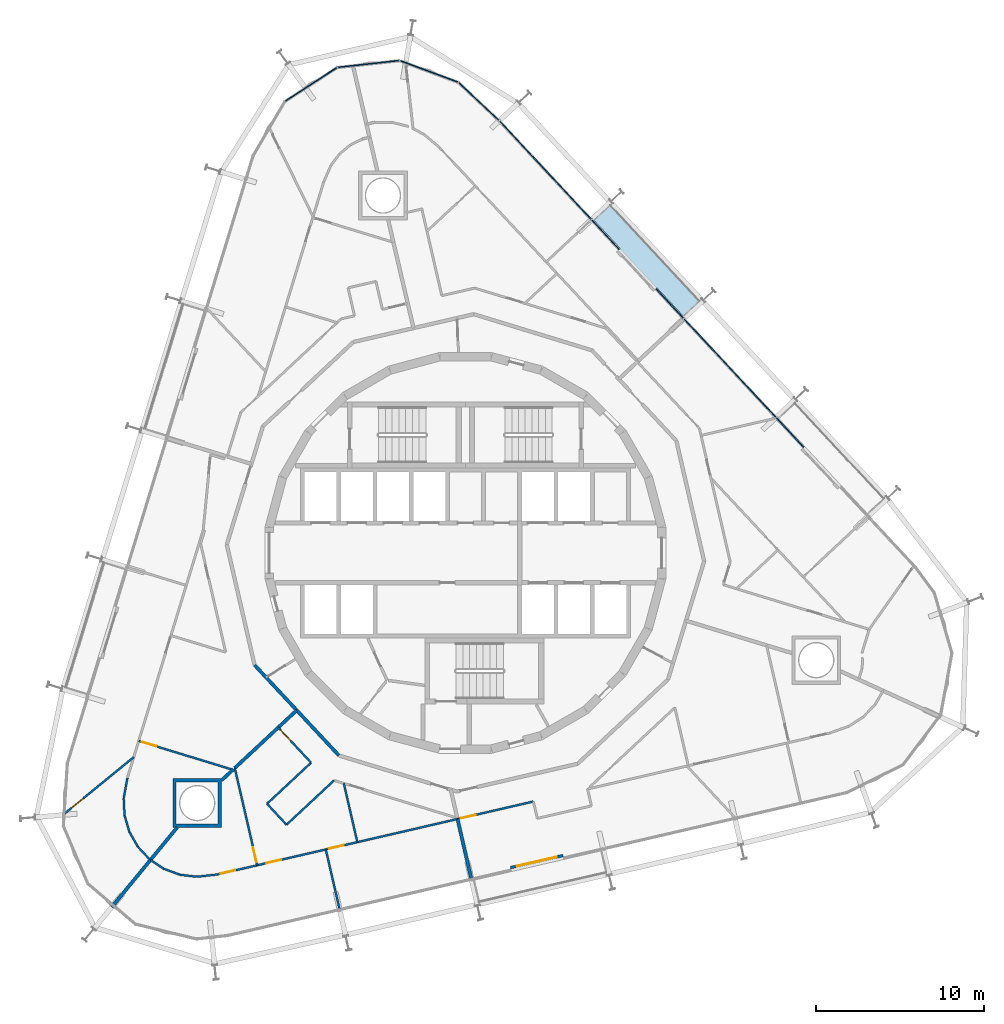
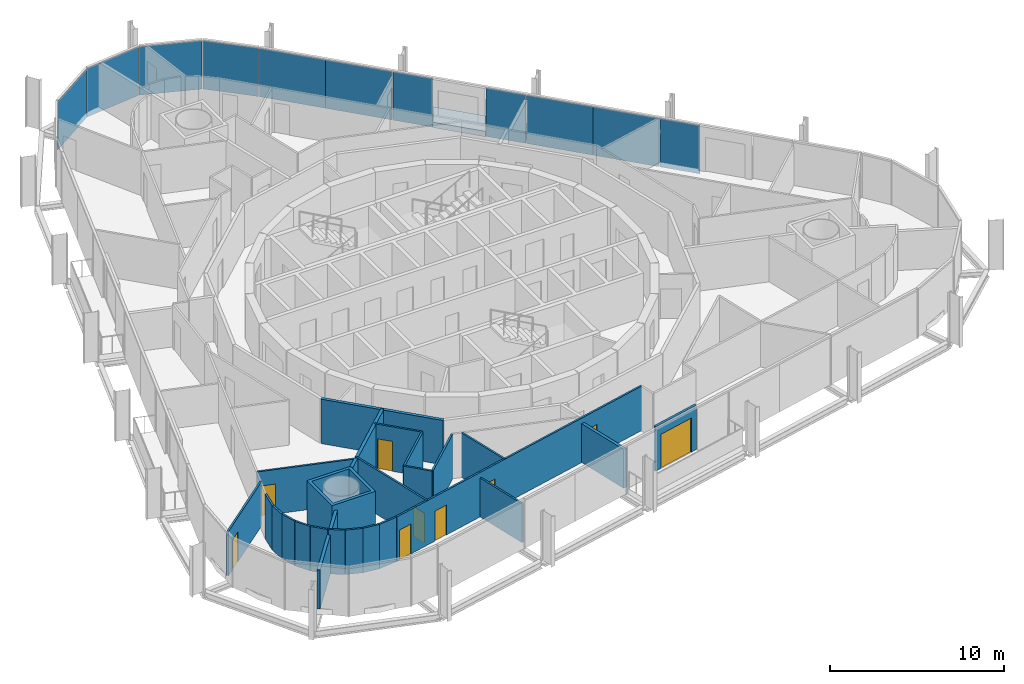
# One storey, part 11 of 18: 26 walls, 11 plates, 9 doors, 1 slab, 9 openings, 2 elements without a shape of their own.
"""IFC4 building model written with IfcOpenShell, lengths in metres."""

from ifc_helpers import new_model, si_unit, direction, frame, frame_2d, origin, origin_2d, place, context, subcontext, project, spatial, polyline, rectangle, outline, extrude, material, layer, layer_set, type_object, element, fill, aggregate, save


model = new_model("IFC4")

# Units and contexts
model_context = context("Model", 3, precision=1e-05, world=origin(), true_north=direction((0.0, 1.0)))
body_context = subcontext(model_context, "Body", "Model", "MODEL_VIEW")
ifc_project = project(units=[si_unit("LENGTHUNIT", "METRE"), si_unit("AREAUNIT", "SQUARE_METRE"), si_unit("VOLUMEUNIT", "CUBIC_METRE"), si_unit("PLANEANGLEUNIT", "RADIAN"), si_unit("MASSUNIT", "GRAM", prefix="KILO")], contexts=[model_context])

# Site, building, storey
site_placement = place(None, origin())
site = spatial("IfcSite", under=ifc_project, at=site_placement, CompositionType="ELEMENT")
building_placement = place(site_placement, origin())
building = spatial("IfcBuilding", under=site, at=building_placement, Name="Spindle Arch Residences", CompositionType="ELEMENT")
storey_placement = place(building_placement, frame((0.0, 0.0, 137.89990234375)))
storey = spatial("IfcBuildingStorey", under=building, at=storey_placement, Name="L34", CompositionType="ELEMENT", Elevation=137.89990234375)

# Slab
ifc_material_1 = material(Name="Concrete C40/50", Category="concrete")
ifc_layer_1 = layer(ifc_material_1, 0.3798828125)
ifc_layer_set_1 = layer_set([ifc_layer_1], Name="Balcony slab 380")
slab_type = type_object("IfcSlabType", Name="Balcony slab 380", PredefinedType="FLOOR", material=ifc_layer_set_1)
slab_placement = place(storey_placement, frame((0.0, 0.0, -0.3798828125)))
element("IfcSlab", 1, at=slab_placement, inside=storey, type_object=slab_type, Name="Balcony L34 bay 8", PredefinedType="FLOOR", context=body_context, shape_type="SweptSolid", body=[
    extrude(outline(polyline([(14.058837890625, 15.04248046875), (14.0078125, 15.09716796875), (13.89794921875, 14.994873046875), (8.626708984375, 20.647705078125), (8.736328125, 20.75), (8.685302734375, 20.804931640625), (7.595458984375, 19.78857421875), (9.191162109375, 18.07763671875), (9.07421875, 17.968505859375), (11.256591796875, 15.628173828125), (11.37353515625, 15.7373046875), (12.96923828125, 14.026123046875), (14.058837890625, 15.04248046875)])), origin(), (0.0, 0.0, 1.0), 0.3798828125),
])

# Curtain wall, plates
ifc_material_2 = material(Name="Aluminium bronze unitised frame with tinted glass", Category="aluminium")
ifc_layer_2 = layer(ifc_material_2, 0.159912109375)
ifc_layer_set_2 = layer_set([ifc_layer_2], Name="CW-C typical residential unitised wall")
curtain_wall_type_1 = type_object("IfcCurtainWallType", Name="CW-C typical residential unitised wall", PredefinedType="NOTDEFINED", material=ifc_layer_set_2)
curtain_wall_1_placement = place(storey_placement, origin())
curtain_wall_1 = element("IfcCurtainWall", 2, at=curtain_wall_1_placement, inside=storey, type_object=curtain_wall_type_1, Name="CW-C L34 run 2", PredefinedType="NOTDEFINED")
ifc_material_3 = material(Name="Tinted double glazing over aluminium faced non-combustible spandrel zone (K0)", Category="aluminium")
ifc_layer_3 = layer(ifc_material_3, 0.06005859375)
ifc_layer_set_3 = layer_set([ifc_layer_3], Name="Unitised glass panel with E 60 spandrel zone")
plate_type = type_object("IfcPlateType", Name="Unitised glass panel with E 60 spandrel zone", PredefinedType="CURTAIN_PANEL", material=ifc_layer_set_3)
plate_1_placement = place(storey_placement, frame((19.271240234375, 7.150634765625, -0.3798828125), z_axis=(0.0, 0.0, 1.0), x_axis=(-0.681998360062, 0.731353701619, 0.0)))
plate_1 = element("IfcPlate", 3, at=plate_1_placement, type_object=plate_type, Name="CW-C unit 05R", PredefinedType="CURTAIN_PANEL", context=body_context, shape_type="SweptSolid", body=[
    extrude(rectangle(XDim=2.384521484375, YDim=0.06005859375, at=origin_2d()), origin(), (0.0, 0.0, 1.0), 3.3798828125),
])
plate_2_placement = place(storey_placement, frame((17.05859375, 9.523681640625, -0.3798828125), z_axis=(0.0, 0.0, 1.0), x_axis=(-0.681998360062, 0.731353701619, 0.0)))
plate_2 = element("IfcPlate", 4, at=plate_2_placement, type_object=plate_type, Name="CW-C unit 06A", PredefinedType="CURTAIN_PANEL", context=body_context, shape_type="SweptSolid", body=[
    extrude(rectangle(XDim=3.984619140625, YDim=0.06005859375, at=origin_2d()), origin(), (0.0, 0.0, 1.0), 3.3798828125),
])
plate_3_placement = place(storey_placement, frame((14.341064453125, 12.437744140625, -0.3798828125), z_axis=(0.0, 0.0, 1.0), x_axis=(-0.681998360062, 0.731353701619, 0.0)))
plate_3 = element("IfcPlate", 5, at=plate_3_placement, type_object=plate_type, Name="CW-C unit 06B", PredefinedType="CURTAIN_PANEL", context=body_context, shape_type="SweptSolid", body=[
    extrude(rectangle(XDim=3.984619140625, YDim=0.06005859375, at=origin_2d()), origin(), (0.0, 0.0, 1.0), 3.3798828125),
])
plate_4_placement = place(storey_placement, frame((12.128173828125, 14.810791015625, -0.3798828125), z_axis=(0.0, 0.0, 1.0), x_axis=(-0.681998360062, 0.731353701619, 0.0)))
plate_4 = element("IfcPlate", 6, at=plate_4_placement, type_object=plate_type, Name="CW-C unit 07L", PredefinedType="CURTAIN_PANEL", context=body_context, shape_type="SweptSolid", body=[
    extrude(rectangle(XDim=2.384521484375, YDim=0.06005859375, at=origin_2d()), origin(), (0.0, 0.0, 1.0), 3.3798828125),
])
plate_5_placement = place(storey_placement, frame((8.319580078125, 18.89501953125, -0.3798828125), z_axis=(0.0, 0.0, 1.0), x_axis=(-0.681998360062, 0.731353701619, 0.0)))
plate_5 = element("IfcPlate", 7, at=plate_5_placement, type_object=plate_type, Name="CW-C unit 07R", PredefinedType="CURTAIN_PANEL", context=body_context, shape_type="SweptSolid", body=[
    extrude(rectangle(XDim=2.384521484375, YDim=0.06005859375, at=origin_2d()), origin(), (0.0, 0.0, 1.0), 3.3798828125),
])
plate_6_placement = place(storey_placement, frame((6.106689453125, 21.26806640625, -0.3798828125), z_axis=(0.0, 0.0, 1.0), x_axis=(-0.681998360062, 0.731353701619, 0.0)))
plate_6 = element("IfcPlate", 8, at=plate_6_placement, type_object=plate_type, Name="CW-C unit 08A", PredefinedType="CURTAIN_PANEL", context=body_context, shape_type="SweptSolid", body=[
    extrude(rectangle(XDim=3.984619140625, YDim=0.06005859375, at=origin_2d()), origin(), (0.0, 0.0, 1.0), 3.3798828125),
])
plate_7_placement = place(storey_placement, frame((3.38916015625, 24.18212890625, -0.3798828125), z_axis=(0.0, 0.0, 1.0), x_axis=(-0.681998360062, 0.731353701619, 0.0)))
plate_7 = element("IfcPlate", 9, at=plate_7_placement, type_object=plate_type, Name="CW-C unit 08B", PredefinedType="CURTAIN_PANEL", context=body_context, shape_type="SweptSolid", body=[
    extrude(rectangle(XDim=3.984619140625, YDim=0.06005859375, at=origin_2d()), origin(), (0.0, 0.0, 1.0), 3.3798828125),
])
aggregate(curtain_wall_1, [plate_1, plate_2, plate_3, plate_4, plate_5, plate_6, plate_7])

ifc_material_4 = material(Name="Aluminium bronze unitised frame with tinted glass", Category="aluminium")
ifc_layer_4 = layer(ifc_material_4, 0.159912109375)
ifc_layer_set_4 = layer_set([ifc_layer_4], Name="CW-D corner wall on the fillet arcs")
curtain_wall_type_2 = type_object("IfcCurtainWallType", Name="CW-D corner wall on the fillet arcs", PredefinedType="NOTDEFINED", material=ifc_layer_set_4)
curtain_wall_2_placement = place(storey_placement, origin())
curtain_wall_2 = element("IfcCurtainWall", 10, at=curtain_wall_2_placement, inside=storey, type_object=curtain_wall_type_2, Name="CW-D L34 run 3", PredefinedType="NOTDEFINED")
plate_8_placement = place(storey_placement, frame((0.794677734375, 26.8046875, -0.3798828125), z_axis=(0.0, 0.0, 1.0), x_axis=(-0.728270412102, 0.685289870681, 0.0)))
plate_8 = element("IfcPlate", 11, at=plate_8_placement, type_object=plate_type, Name="CW-D unit 00", PredefinedType="CURTAIN_PANEL", context=body_context, shape_type="SweptSolid", body=[
    extrude(rectangle(XDim=3.277587890625, YDim=0.06005859375, at=origin_2d()), origin(), (0.0, 0.0, 1.0), 3.3798828125),
])
plate_9_placement = place(storey_placement, frame((-2.16796875, 28.595703125, -0.3798828125), z_axis=(0.0, 0.0, 1.0), x_axis=(-0.937686936403, 0.347481235896, 0.0)))
plate_9 = element("IfcPlate", 12, at=plate_9_placement, type_object=plate_type, Name="CW-D unit 01", PredefinedType="CURTAIN_PANEL", context=body_context, shape_type="SweptSolid", body=[
    extrude(rectangle(XDim=3.666748046875, YDim=0.06005859375, at=origin_2d()), origin(), (0.0, 0.0, 1.0), 3.3798828125),
])
plate_10_placement = place(storey_placement, frame((-5.76708984375, 29.037841796875, -0.3798828125), z_axis=(0.0, 0.0, 1.0), x_axis=(-0.993896946294, -0.110312556619, 0.0)))
plate_10 = element("IfcPlate", 13, at=plate_10_placement, type_object=plate_type, Name="CW-D unit 02", PredefinedType="CURTAIN_PANEL", context=body_context, shape_type="SweptSolid", body=[
    extrude(rectangle(XDim=3.666748046875, YDim=0.06005859375, at=origin_2d()), origin(), (0.0, 0.0, 1.0), 3.3798828125),
])
plate_11_placement = place(storey_placement, frame((-9.181884765625, 27.8173828125, -0.3798828125), z_axis=(0.0, 0.0, 1.0), x_axis=(-0.838670567755, -0.544639035308, 0.0)))
plate_11 = element("IfcPlate", 14, at=plate_11_placement, type_object=plate_type, Name="CW-D unit 03", PredefinedType="CURTAIN_PANEL", context=body_context, shape_type="SweptSolid", body=[
    extrude(rectangle(XDim=3.666748046875, YDim=0.06005859375, at=origin_2d()), origin(), (0.0, 0.0, 1.0), 3.3798828125),
])
aggregate(curtain_wall_2, [plate_8, plate_9, plate_10, plate_11])

# Wall
ifc_material_5 = material(Name="Calcium silicate block, plastered")
ifc_layer_5 = layer(ifc_material_5, 0.199951171875)
ifc_layer_set_5 = layer_set([ifc_layer_5], Name="Corridor wall 200")
wall_type_1 = type_object("IfcWallType", Name="Corridor wall 200", PredefinedType="STANDARD", material=ifc_layer_set_5)
wall_1_placement = place(storey_placement, frame((-12.523193359375, -6.65869140625, 0.0), z_axis=(0.0, 0.0, 1.0), x_axis=(0.682001841105, -0.731350455479, 0.0)))
element("IfcWall", 15, at=wall_1_placement, inside=storey, type_object=wall_type_1, Name="Corridor wall R3C1-W012", PredefinedType="STANDARD", context=body_context, shape_type="SweptSolid", body=[
    extrude(rectangle(XDim=7.341796875, YDim=0.199951171875, at=frame_2d((3.6708984375, 0.0))), origin(), (0.0, 0.0, 1.0), 3.1201171875),
])

# Wall, opening, door
ifc_material_6 = material(Name="Plasterboard on steel studs", Category="steel")
ifc_layer_6 = layer(ifc_material_6, 0.1201171875)
ifc_layer_set_6 = layer_set([ifc_layer_6], Name="Flat partition 120")
wall_type_2 = type_object("IfcWallType", Name="Flat partition 120", PredefinedType="PARTITIONING", material=ifc_layer_set_6)
wall_2_placement = place(storey_placement, frame((-19.403564453125, -11.1669921875, 0.0), z_axis=(0.0, 0.0, 1.0), x_axis=(0.956314306829, -0.292340463423, 0.0)))
wall_2 = element("IfcWall", 16, at=wall_2_placement, inside=storey, type_object=wall_type_2, Name="Flat partition R3C1-W080", PredefinedType="PARTITIONING", context=body_context, shape_type="SweptSolid", body=[
    extrude(rectangle(XDim=5.85009765625, YDim=0.1201171875, at=frame_2d((2.925048828125, 0.0))), origin(), (0.0, 0.0, 1.0), 3.1201171875),
])
opening_1_placement = place(wall_2_placement, frame((0.199951171875, 0.0, 0.0)))
opening_1 = element("IfcOpeningElement", 17, at=opening_1_placement, cuts=wall_2, Name="Opening R3C1-ID20", PredefinedType="OPENING", context=body_context, shape_type="SweptSolid", body=[
    extrude(rectangle(XDim=0.89990234375, YDim=2.10009765625, at=frame_2d((0.449951171875, 1.050048828125))), frame((0.0, 0.070068359375, 0.0), z_axis=(0.0, -1.0, 0.0), x_axis=(1.0, 0.0, 0.0)), (0.0, 0.0, 1.0), 0.14013671875),
])
ifc_material_7 = material(Name="Timber door set", Category="wood")
door_type_1 = type_object("IfcDoorType", Name="Room door 900x2100", OperationType="NOTDEFINED", PredefinedType="DOOR", material=ifc_material_7)
door_1_placement = place(opening_1_placement, origin())
door_1 = element("IfcDoor", 18, at=door_1_placement, inside=storey, type_object=door_type_1, Name="Room door R3C1-ID20", OperationType="SINGLE_SWING_RIGHT", OverallHeight=2.10009765625, OverallWidth=0.89990234375, PredefinedType="DOOR", context=body_context, shape_type="SweptSolid", body=[
    extrude(rectangle(XDim=0.89990234375, YDim=2.10009765625, at=frame_2d((0.449951171875, 1.050048828125))), frame((0.0, 0.02490234375, 0.0), z_axis=(0.0, -1.0, 0.0), x_axis=(1.0, 0.0, 0.0)), (0.0, 0.0, 1.0), 0.050048828125),
])
fill(opening_1, door_1)

wall_3_placement = place(storey_placement, frame((-23.852294921875, -15.52001953125, 0.0), z_axis=(0.0, 0.0, 1.0), x_axis=(0.774546990858, 0.632516370502, 0.0)))
wall_3 = element("IfcWall", 19, at=wall_3_placement, inside=storey, type_object=wall_type_2, Name="Flat partition R3C1-W083", PredefinedType="PARTITIONING", context=body_context, shape_type="SweptSolid", body=[
    extrude(rectangle(XDim=5.36474609375, YDim=0.1201171875, at=frame_2d((2.682373046875, 0.0))), origin(), (0.0, 0.0, 1.0), 3.1201171875),
])
opening_2_placement = place(wall_3_placement, frame((0.60009765625, 0.0, 0.0)))
opening_2 = element("IfcOpeningElement", 20, at=opening_2_placement, cuts=wall_3, Name="Opening R3C1-ID21", PredefinedType="OPENING", context=body_context, shape_type="SweptSolid", body=[
    extrude(rectangle(XDim=0.89990234375, YDim=2.10009765625, at=frame_2d((0.449951171875, 1.050048828125))), frame((0.0, 0.070068359375, 0.0), z_axis=(0.0, -1.0, 0.0), x_axis=(1.0, 0.0, 0.0)), (0.0, 0.0, 1.0), 0.14013671875),
])
door_2_placement = place(opening_2_placement, origin())
door_2 = element("IfcDoor", 21, at=door_2_placement, inside=storey, type_object=door_type_1, Name="Room door R3C1-ID21", OperationType="SINGLE_SWING_RIGHT", OverallHeight=2.10009765625, OverallWidth=0.89990234375, PredefinedType="DOOR", context=body_context, shape_type="SweptSolid", body=[
    extrude(rectangle(XDim=0.89990234375, YDim=2.10009765625, at=frame_2d((0.449951171875, 1.050048828125))), frame((0.0, 0.02490234375, 0.0), z_axis=(0.0, -1.0, 0.0), x_axis=(1.0, 0.0, 0.0)), (0.0, 0.0, 1.0), 0.050048828125),
])
fill(opening_2, door_2)

# Walls
wall_4_placement = place(storey_placement, frame((-20.07666015625, -13.3681640625, 0.0), z_axis=(0.0, 0.0, 1.0), x_axis=(-0.179288174895, -0.983796600087, 0.0)))
element("IfcWall", 22, at=wall_4_placement, inside=storey, type_object=wall_type_2, Name="Flat partition R3C1-W084", PredefinedType="PARTITIONING", context=body_context, shape_type="SweptSolid", body=[
    extrude(rectangle(XDim=1.226806640625, YDim=0.1201171875, at=frame_2d((0.61328125, 0.0))), origin(), (0.0, 0.0, 1.0), 3.1201171875),
])
wall_5_placement = place(storey_placement, frame((-20.296630859375, -14.5751953125, 0.0), z_axis=(0.0, 0.0, 1.0), x_axis=(0.052142637988, -0.998639647372, 0.0)))
element("IfcWall", 23, at=wall_5_placement, inside=storey, type_object=wall_type_2, Name="Flat partition R3C1-W085", PredefinedType="PARTITIONING", context=body_context, shape_type="SweptSolid", body=[
    extrude(rectangle(XDim=1.01611328125, YDim=0.1201171875, at=frame_2d((0.508056640625, 0.0))), origin(), (0.0, 0.0, 1.0), 3.1201171875),
])
for number, where, z_axis, x_axis, name in (
    (24, (-20.24365234375, -15.58984375, 0.0), (0.0, 0.0, 1.0), (0.281411609627, -0.959587153919, 0.0), "Flat partition R3C1-W086"),
    (25, (-19.957763671875, -16.564697265625, 0.0), (0.0, 0.0, 1.0), (0.494818454809, -0.868996373284, 0.0), "Flat partition R3C1-W087"),
    (26, (-19.455078125, -17.447509765625, 0.0), (0.0, 0.0, 1.0), (0.682044196941, -0.731310955353, 0.0), "Flat partition R3C1-W088"),
):
    element("IfcWall", number, at=place(storey_placement, frame(where, z_axis=z_axis, x_axis=x_axis)), inside=storey, type_object=wall_type_2, Name=name, PredefinedType="PARTITIONING", context=body_context, shape_type="SweptSolid", body=[
        extrude(rectangle(XDim=1.015869140625, YDim=0.1201171875, at=frame_2d((0.5078125, 0.0))), origin(), (0.0, 0.0, 1.0), 3.1201171875),
    ])

# Wall, opening, door
wall_6_placement = place(storey_placement, frame((-11.11669921875, -10.366455078125, 0.0), z_axis=(0.0, 0.0, 1.0), x_axis=(0.682029016154, -0.73132511315, 0.0)))
wall_6 = element("IfcWall", 27, at=wall_6_placement, inside=storey, type_object=wall_type_2, Name="Flat partition R3C1-W089", PredefinedType="PARTITIONING", context=body_context, shape_type="SweptSolid", body=[
    extrude(rectangle(XDim=2.857666015625, YDim=0.1201171875, at=frame_2d((1.4287109375, 0.0))), origin(), (0.0, 0.0, 1.0), 3.1201171875),
])
opening_3_placement = place(wall_6_placement, frame((0.199951171875, 0.0, 0.0)))
opening_3 = element("IfcOpeningElement", 28, at=opening_3_placement, cuts=wall_6, Name="Opening R3C1-ID22", PredefinedType="OPENING", context=body_context, shape_type="SweptSolid", body=[
    extrude(rectangle(XDim=0.89990234375, YDim=2.10009765625, at=frame_2d((0.449951171875, 1.050048828125))), frame((0.0, 0.070068359375, 0.0), z_axis=(0.0, -1.0, 0.0), x_axis=(1.0, 0.0, 0.0)), (0.0, 0.0, 1.0), 0.14013671875),
])
door_3_placement = place(opening_3_placement, origin())
door_3 = element("IfcDoor", 29, at=door_3_placement, inside=storey, type_object=door_type_1, Name="Room door R3C1-ID22", OperationType="SINGLE_SWING_LEFT", OverallHeight=2.10009765625, OverallWidth=0.89990234375, PredefinedType="DOOR", context=body_context, shape_type="SweptSolid", body=[
    extrude(rectangle(XDim=0.89990234375, YDim=2.10009765625, at=frame_2d((0.449951171875, 1.050048828125))), frame((0.0, 0.02490234375, 0.0), z_axis=(0.0, -1.0, 0.0), x_axis=(1.0, 0.0, 0.0)), (0.0, 0.0, 1.0), 0.050048828125),
])
fill(opening_3, door_3)

# Walls
wall_7_placement = place(storey_placement, frame((-9.167724609375, -12.456298828125, 0.0), z_axis=(0.0, 0.0, 1.0), x_axis=(-0.731372816465, -0.681977861324, 0.0)))
element("IfcWall", 30, at=wall_7_placement, inside=storey, type_object=wall_type_2, Name="Flat partition R3C1-W090", PredefinedType="PARTITIONING", context=body_context, shape_type="SweptSolid", body=[
    extrude(rectangle(XDim=3.578369140625, YDim=0.1201171875, at=frame_2d((1.7890625, 0.0))), origin(), (0.0, 0.0, 1.0), 3.1201171875),
])
wall_8_placement = place(storey_placement, frame((-11.784912109375, -14.896728515625, 0.0), z_axis=(0.0, 0.0, 1.0), x_axis=(0.681975367709, -0.73137514166, 0.0)))
element("IfcWall", 31, at=wall_8_placement, inside=storey, type_object=wall_type_2, Name="Flat partition R3C1-W091", PredefinedType="PARTITIONING", context=body_context, shape_type="SweptSolid", body=[
    extrude(rectangle(XDim=1.7001953125, YDim=0.1201171875, at=frame_2d((0.85009765625, 0.0))), origin(), (0.0, 0.0, 1.0), 3.1201171875),
])
wall_9_placement = place(storey_placement, frame((-10.62548828125, -16.14013671875, 0.0), z_axis=(0.0, 0.0, 1.0), x_axis=(0.73135399721, 0.68199804308, 0.0)))
element("IfcWall", 32, at=wall_9_placement, inside=storey, type_object=wall_type_2, Name="Flat partition R3C1-W092", PredefinedType="PARTITIONING", context=body_context, shape_type="SweptSolid", body=[
    extrude(rectangle(XDim=3.8583984375, YDim=0.1201171875, at=frame_2d((1.92919921875, 0.0))), origin(), (0.0, 0.0, 1.0), 3.1201171875),
])

# Wall, opening, door
wall_10_placement = place(storey_placement, frame((-12.36572265625, -18.548095703125, 0.0), z_axis=(0.0, 0.0, 1.0), x_axis=(-0.224958805164, 0.974368275335, 0.0)))
wall_10 = element("IfcWall", 33, at=wall_10_placement, inside=storey, type_object=wall_type_2, Name="Flat partition R3C1-W094", PredefinedType="PARTITIONING", context=body_context, shape_type="SweptSolid", body=[
    extrude(rectangle(XDim=5.925537109375, YDim=0.1201171875, at=frame_2d((2.962890625, 0.0))), origin(), (0.0, 0.0, 1.0), 3.1201171875),
])
opening_4_placement = place(wall_10_placement, frame((0.199951171875, 0.0, 0.0)))
opening_4 = element("IfcOpeningElement", 34, at=opening_4_placement, cuts=wall_10, Name="Opening R3C1-ID23", PredefinedType="OPENING", context=body_context, shape_type="SweptSolid", body=[
    extrude(rectangle(XDim=0.89990234375, YDim=2.10009765625, at=frame_2d((0.449951171875, 1.050048828125))), frame((0.0, 0.070068359375, 0.0), z_axis=(0.0, -1.0, 0.0), x_axis=(1.0, 0.0, 0.0)), (0.0, 0.0, 1.0), 0.14013671875),
])
door_4_placement = place(opening_4_placement, origin())
door_4 = element("IfcDoor", 35, at=door_4_placement, inside=storey, type_object=door_type_1, Name="Room door R3C1-ID23", OperationType="SINGLE_SWING_LEFT", OverallHeight=2.10009765625, OverallWidth=0.89990234375, PredefinedType="DOOR", context=body_context, shape_type="SweptSolid", body=[
    extrude(rectangle(XDim=0.89990234375, YDim=2.10009765625, at=frame_2d((0.449951171875, 1.050048828125))), frame((0.0, 0.02490234375, 0.0), z_axis=(0.0, -1.0, 0.0), x_axis=(1.0, 0.0, 0.0)), (0.0, 0.0, 1.0), 0.050048828125),
])
fill(opening_4, door_4)

# Walls
wall_11_placement = place(storey_placement, frame((-18.703125, -18.22998046875, 0.0), z_axis=(0.0, 0.0, 1.0), x_axis=(0.832328473933, -0.554282699965, 0.0)))
element("IfcWall", 36, at=wall_11_placement, inside=storey, type_object=wall_type_2, Name="Flat partition R3C1-W095", PredefinedType="PARTITIONING", context=body_context, shape_type="SweptSolid", body=[
    extrude(rectangle(XDim=0.94482421875, YDim=0.1201171875, at=frame_2d((0.472412109375, 0.0))), origin(), (0.0, 0.0, 1.0), 3.1201171875),
])
wall_12_placement = place(storey_placement, frame((-17.916748046875, -18.753662109375, 0.0), z_axis=(0.0, 0.0, 1.0), x_axis=(0.937684971769, -0.347486537462, 0.0)))
element("IfcWall", 37, at=wall_12_placement, inside=storey, type_object=wall_type_2, Name="Flat partition R3C1-W096", PredefinedType="PARTITIONING", context=body_context, shape_type="SweptSolid", body=[
    extrude(rectangle(XDim=1.015869140625, YDim=0.1201171875, at=frame_2d((0.5078125, 0.0))), origin(), (0.0, 0.0, 1.0), 3.1201171875),
])
wall_13_placement = place(storey_placement, frame((-16.964111328125, -19.106689453125, 0.0), z_axis=(0.0, 0.0, 1.0), x_axis=(0.992523553766, -0.122053247474, 0.0)))
element("IfcWall", 38, at=wall_13_placement, inside=storey, type_object=wall_type_2, Name="Flat partition R3C1-W097", PredefinedType="PARTITIONING", context=body_context, shape_type="SweptSolid", body=[
    extrude(rectangle(XDim=1.01611328125, YDim=0.1201171875, at=frame_2d((0.508056640625, 0.0))), origin(), (0.0, 0.0, 1.0), 3.1201171875),
])
wall_14_placement = place(storey_placement, frame((-15.95556640625, -19.230712890625, 0.0), z_axis=(0.0, 0.0, 1.0), x_axis=(0.993883734674, 0.110431526075, 0.0)))
element("IfcWall", 39, at=wall_14_placement, inside=storey, type_object=wall_type_2, Name="Flat partition R3C1-W098", PredefinedType="PARTITIONING", context=body_context, shape_type="SweptSolid", body=[
    extrude(rectangle(XDim=1.22705078125, YDim=0.1201171875, at=frame_2d((0.613525390625, 0.0))), origin(), (0.0, 0.0, 1.0), 3.1201171875),
])

# Wall, openings, doors
wall_15_placement = place(storey_placement, frame((-14.736083984375, -19.09521484375, 0.0), z_axis=(0.0, 0.0, 1.0), x_axis=(0.974368335243, 0.224958545682, 0.0)))
wall_15 = element("IfcWall", 40, at=wall_15_placement, inside=storey, type_object=wall_type_2, Name="Flat partition R3C1-W099", PredefinedType="PARTITIONING", context=body_context, shape_type="SweptSolid", body=[
    extrude(rectangle(XDim=19.263427734375, YDim=0.1201171875, at=frame_2d((9.6318359375, 0.0))), origin(), (0.0, 0.0, 1.0), 3.1201171875),
])
opening_5_placement = place(wall_15_placement, frame((2.99267578125, 0.0, 0.0)))
opening_5 = element("IfcOpeningElement", 41, at=opening_5_placement, cuts=wall_15, Name="Opening R3C1-ID24", PredefinedType="OPENING", context=body_context, shape_type="SweptSolid", body=[
    extrude(rectangle(XDim=0.89990234375, YDim=2.10009765625, at=frame_2d((0.449951171875, 1.050048828125))), frame((0.0, 0.070068359375, 0.0), z_axis=(0.0, -1.0, 0.0), x_axis=(1.0, 0.0, 0.0)), (0.0, 0.0, 1.0), 0.14013671875),
])
opening_6_placement = place(wall_15_placement, frame((6.81005859375, 0.0, 0.0)))
opening_6 = element("IfcOpeningElement", 42, at=opening_6_placement, cuts=wall_15, Name="Opening R3C1-ID25", PredefinedType="OPENING", context=body_context, shape_type="SweptSolid", body=[
    extrude(rectangle(XDim=0.89990234375, YDim=2.10009765625, at=frame_2d((0.449951171875, 1.050048828125))), frame((0.0, 0.070068359375, 0.0), z_axis=(0.0, -1.0, 0.0), x_axis=(1.0, 0.0, 0.0)), (0.0, 0.0, 1.0), 0.14013671875),
])
opening_7_placement = place(wall_15_placement, frame((0.199951171875, 0.0, 0.0)))
opening_7 = element("IfcOpeningElement", 43, at=opening_7_placement, cuts=wall_15, Name="Opening R3C1-ID26", PredefinedType="OPENING", context=body_context, shape_type="SweptSolid", body=[
    extrude(rectangle(XDim=0.89990234375, YDim=2.10009765625, at=frame_2d((0.449951171875, 1.050048828125))), frame((0.0, 0.070068359375, 0.0), z_axis=(0.0, -1.0, 0.0), x_axis=(1.0, 0.0, 0.0)), (0.0, 0.0, 1.0), 0.14013671875),
])
opening_8_placement = place(wall_15_placement, frame((14.83935546875, 0.0, 0.0)))
opening_8 = element("IfcOpeningElement", 44, at=opening_8_placement, cuts=wall_15, Name="Opening R3C1-ID27", PredefinedType="OPENING", context=body_context, shape_type="SweptSolid", body=[
    extrude(rectangle(XDim=0.89990234375, YDim=2.10009765625, at=frame_2d((0.449951171875, 1.050048828125))), frame((0.0, 0.070068359375, 0.0), z_axis=(0.0, -1.0, 0.0), x_axis=(1.0, 0.0, 0.0)), (0.0, 0.0, 1.0), 0.14013671875),
])
door_5_placement = place(opening_5_placement, origin())
door_5 = element("IfcDoor", 45, at=door_5_placement, inside=storey, type_object=door_type_1, Name="Room door R3C1-ID24", OperationType="SINGLE_SWING_LEFT", OverallHeight=2.10009765625, OverallWidth=0.89990234375, PredefinedType="DOOR", context=body_context, shape_type="SweptSolid", body=[
    extrude(rectangle(XDim=0.89990234375, YDim=2.10009765625, at=frame_2d((0.449951171875, 1.050048828125))), frame((0.0, 0.02490234375, 0.0), z_axis=(0.0, -1.0, 0.0), x_axis=(1.0, 0.0, 0.0)), (0.0, 0.0, 1.0), 0.050048828125),
])
fill(opening_5, door_5)
door_6_placement = place(opening_6_placement, origin())
door_6 = element("IfcDoor", 46, at=door_6_placement, inside=storey, type_object=door_type_1, Name="Room door R3C1-ID25", OperationType="SINGLE_SWING_LEFT", OverallHeight=2.10009765625, OverallWidth=0.89990234375, PredefinedType="DOOR", context=body_context, shape_type="SweptSolid", body=[
    extrude(rectangle(XDim=0.89990234375, YDim=2.10009765625, at=frame_2d((0.449951171875, 1.050048828125))), frame((0.0, 0.02490234375, 0.0), z_axis=(0.0, -1.0, 0.0), x_axis=(1.0, 0.0, 0.0)), (0.0, 0.0, 1.0), 0.050048828125),
])
fill(opening_6, door_6)
door_7_placement = place(opening_7_placement, origin())
door_7 = element("IfcDoor", 47, at=door_7_placement, inside=storey, type_object=door_type_1, Name="Room door R3C1-ID26", OperationType="SINGLE_SWING_LEFT", OverallHeight=2.10009765625, OverallWidth=0.89990234375, PredefinedType="DOOR", context=body_context, shape_type="SweptSolid", body=[
    extrude(rectangle(XDim=0.89990234375, YDim=2.10009765625, at=frame_2d((0.449951171875, 1.050048828125))), frame((0.0, 0.02490234375, 0.0), z_axis=(0.0, -1.0, 0.0), x_axis=(1.0, 0.0, 0.0)), (0.0, 0.0, 1.0), 0.050048828125),
])
fill(opening_7, door_7)
door_8_placement = place(opening_8_placement, origin())
door_8 = element("IfcDoor", 48, at=door_8_placement, inside=storey, type_object=door_type_1, Name="Room door R3C1-ID27", OperationType="SINGLE_SWING_LEFT", OverallHeight=2.10009765625, OverallWidth=0.89990234375, PredefinedType="DOOR", context=body_context, shape_type="SweptSolid", body=[
    extrude(rectangle(XDim=0.89990234375, YDim=2.10009765625, at=frame_2d((0.449951171875, 1.050048828125))), frame((0.0, 0.02490234375, 0.0), z_axis=(0.0, -1.0, 0.0), x_axis=(1.0, 0.0, 0.0)), (0.0, 0.0, 1.0), 0.050048828125),
])
fill(opening_8, door_8)

# Walls
wall_16_placement = place(storey_placement, frame((-6.4189453125, -17.175048828125, 0.0), z_axis=(0.0, 0.0, 1.0), x_axis=(-0.224979003559, 0.974363611778, 0.0)))
element("IfcWall", 49, at=wall_16_placement, inside=storey, type_object=wall_type_2, Name="Flat partition R3C1-W100", PredefinedType="PARTITIONING", context=body_context, shape_type="SweptSolid", body=[
    extrude(rectangle(XDim=3.5810546875, YDim=0.1201171875, at=frame_2d((1.79052734375, 0.0))), origin(), (0.0, 0.0, 1.0), 3.1201171875),
])
ifc_material_8 = material(Name="Plasterboard on steel studs", Category="steel")
ifc_layer_7 = layer(ifc_material_8, 0.1201171875)
ifc_layer_set_7 = layer_set([ifc_layer_7], Name="Flat partition 120 under beam 2730")
wall_type_3 = type_object("IfcWallType", Name="Flat partition 120 under beam 2730", PredefinedType="PARTITIONING", material=ifc_layer_set_7)
wall_17_placement = place(storey_placement, frame((-7.485595703125, -21.115966796875, 0.0), z_axis=(0.0, 0.0, 1.0), x_axis=(-0.224943703639, 0.9743717618, 0.0)))
element("IfcWall", 50, at=wall_17_placement, inside=storey, type_object=wall_type_3, Name="Flat partition R3C1-W101", PredefinedType="PARTITIONING", context=body_context, shape_type="SweptSolid", body=[
    extrude(rectangle(XDim=3.60009765625, YDim=0.1201171875, at=frame_2d((1.800048828125, 0.0))), origin(), (0.0, 0.0, 1.0), 2.72998046875),
])
ifc_material_9 = material(Name="Calcium silicate block, plastered")
ifc_layer_8 = layer(ifc_material_9, 0.199951171875)
ifc_layer_set_8 = layer_set([ifc_layer_8], Name="Flat party wall 200")
wall_type_4 = type_object("IfcWallType", Name="Flat party wall 200", PredefinedType="STANDARD", material=ifc_layer_set_8)
wall_18_placement = place(storey_placement, frame((-13.69873046875, -12.7744140625, 0.0), z_axis=(0.0, 0.0, 1.0), x_axis=(0.731353758457, 0.681998299111, 0.0)))
element("IfcWall", 51, at=wall_18_placement, inside=storey, type_object=wall_type_4, Name="Flat party wall R3C1-W026", PredefinedType="STANDARD", context=body_context, shape_type="SweptSolid", body=[
    extrude(rectangle(XDim=5.03076171875, YDim=0.199951171875, at=frame_2d((2.515380859375, 0.0))), origin(), (0.0, 0.0, 1.0), 3.1201171875),
])
wall_19_placement = place(storey_placement, frame((-14.480224609375, -13.5029296875, 0.0), z_axis=(0.0, 0.0, 1.0), x_axis=(0.73152991834, 0.681809341806, 0.0)))
element("IfcWall", 52, at=wall_19_placement, inside=storey, type_object=wall_type_4, Name="Flat party wall R3C1-W028", PredefinedType="STANDARD", context=body_context, shape_type="SweptSolid", body=[
    extrude(rectangle(XDim=0.95751953125, YDim=0.199951171875, at=frame_2d((0.478759765625, 0.0))), origin(), (0.0, 0.0, 1.0), 3.1201171875),
])
ifc_material_10 = material(Name="Calcium silicate block, plastered")
ifc_layer_9 = layer(ifc_material_10, 0.199951171875)
ifc_layer_set_9 = layer_set([ifc_layer_9], Name="Flat party wall 200 under beam 2730")
wall_type_5 = type_object("IfcWallType", Name="Flat party wall 200 under beam 2730", PredefinedType="STANDARD", material=ifc_layer_set_9)
wall_20_placement = place(storey_placement, frame((-21.0, -21.025390625, 0.0), z_axis=(0.0, 0.0, 1.0), x_axis=(0.634846795952, 0.772638043116, 0.0)))
element("IfcWall", 53, at=wall_20_placement, inside=storey, type_object=wall_type_5, Name="Flat party wall R3C1-W027", PredefinedType="STANDARD", context=body_context, shape_type="SweptSolid", body=[
    extrude(rectangle(XDim=6.109130859375, YDim=0.199951171875, at=frame_2d((3.0546875, 0.0))), origin(), (0.0, 0.0, 1.0), 2.72998046875),
])
wall_21_placement = place(storey_placement, frame((0.337890625, -19.309814453125, 0.0), z_axis=(0.0, 0.0, 1.0), x_axis=(-0.224943703639, 0.9743717618, 0.0)))
element("IfcWall", 54, at=wall_21_placement, inside=storey, type_object=wall_type_5, Name="Flat party wall R3C1-W030", PredefinedType="STANDARD", context=body_context, shape_type="SweptSolid", body=[
    extrude(rectangle(XDim=3.60009765625, YDim=0.199951171875, at=frame_2d((1.800048828125, 0.0))), origin(), (0.0, 0.0, 1.0), 2.72998046875),
])

# Wall, opening, door
ifc_material_11 = material(Name="Non-combustible mineral wool insulated aluminium faced external wall (K0)", Category="aluminium")
ifc_layer_10 = layer(ifc_material_11, 0.159912109375)
ifc_layer_set_10 = layer_set([ifc_layer_10], Name="Insulated external wall panel 160")
wall_type_6 = type_object("IfcWallType", Name="Insulated external wall panel 160", PredefinedType="STANDARD", material=ifc_layer_set_10)
wall_22_placement = place(storey_placement, frame((2.672607421875, -18.688720703125, 0.0), z_axis=(0.0, 0.0, 1.0), x_axis=(0.974360325718, 0.224993234715, 0.0)))
wall_22 = element("IfcWall", 55, at=wall_22_placement, inside=storey, type_object=wall_type_6, Name="External wall L34 bay 22", PredefinedType="STANDARD", context=body_context, shape_type="SweptSolid", body=[
    extrude(rectangle(XDim=3.199951171875, YDim=0.159912109375, at=frame_2d((1.60009765625, 0.0))), origin(), (0.0, 0.0, 1.0), 3.1201171875),
])
opening_9_placement = place(wall_22_placement, frame((0.39990234375, 0.0, 0.0)))
opening_9 = element("IfcOpeningElement", 56, at=opening_9_placement, cuts=wall_22, Name="Opening BD22", PredefinedType="OPENING", context=body_context, shape_type="SweptSolid", body=[
    extrude(rectangle(XDim=2.39990234375, YDim=2.39990234375, at=frame_2d((1.199951171875, 1.199951171875))), frame((0.0, 0.08984375, 0.0), z_axis=(0.0, -1.0, 0.0), x_axis=(1.0, 0.0, 0.0)), (0.0, 0.0, 1.0), 0.179931640625),
])
ifc_material_12 = material(Name="Bronze aluminium frame, tinted double glazing", Category="aluminium")
door_type_2 = type_object("IfcDoorType", Name="Sliding glazed balcony door 2400x2400", OperationType="DOUBLE_DOOR_SLIDING", PredefinedType="DOOR", material=ifc_material_12)
door_9_placement = place(opening_9_placement, origin())
door_9 = element("IfcDoor", 57, at=door_9_placement, inside=storey, type_object=door_type_2, Name="Balcony door BD22", OperationType="DOUBLE_DOOR_SLIDING", OverallHeight=2.39990234375, OverallWidth=2.39990234375, PredefinedType="DOOR", context=body_context, shape_type="SweptSolid", body=[
    extrude(rectangle(XDim=2.39990234375, YDim=2.39990234375, at=frame_2d((1.199951171875, 1.199951171875))), frame((0.0, 0.02490234375, 0.0), z_axis=(0.0, -1.0, 0.0), x_axis=(1.0, 0.0, 0.0)), (0.0, 0.0, 1.0), 0.050048828125),
])
fill(opening_9, door_9)

# Wall
ifc_material_13 = material(Name="Calcium silicate block, plastered")
ifc_layer_11 = layer(ifc_material_13, 0.199951171875)
ifc_layer_set_11 = layer_set([ifc_layer_11], Name="Mega-column casing wall 200")
wall_type_7 = type_object("IfcWallType", Name="Mega-column casing wall 200", PredefinedType="STANDARD", material=ifc_layer_set_11)
wall_23_placement = place(storey_placement, origin())
element("IfcWall", 58, at=wall_23_placement, inside=storey, type_object=wall_type_7, Name="Mega-column casing wall R3C1-WC02", PredefinedType="STANDARD", context=body_context, shape_type="SweptSolid", body=[
    extrude(outline(polyline([(-14.480224609375, -13.4052734375), (-14.480224609375, -16.30517578125), (-17.380126953125, -16.30517578125), (-17.380126953125, -13.4052734375), (-14.480224609375, -13.4052734375)]), holes=[polyline([(-17.18017578125, -16.105224609375), (-14.68017578125, -16.105224609375), (-14.68017578125, -13.605224609375), (-17.18017578125, -13.605224609375), (-17.18017578125, -16.105224609375)])]), origin(), (0.0, 0.0, 1.0), 3.1201171875),
])

save(model, "model.ifc")
